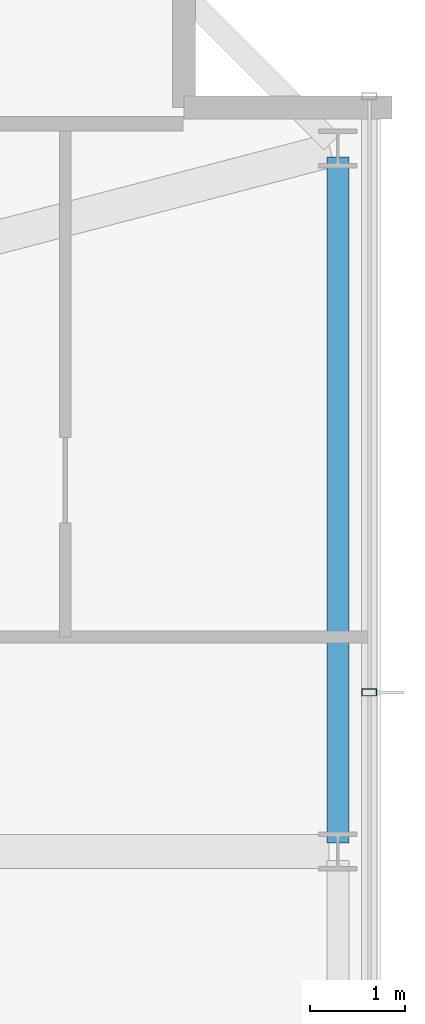
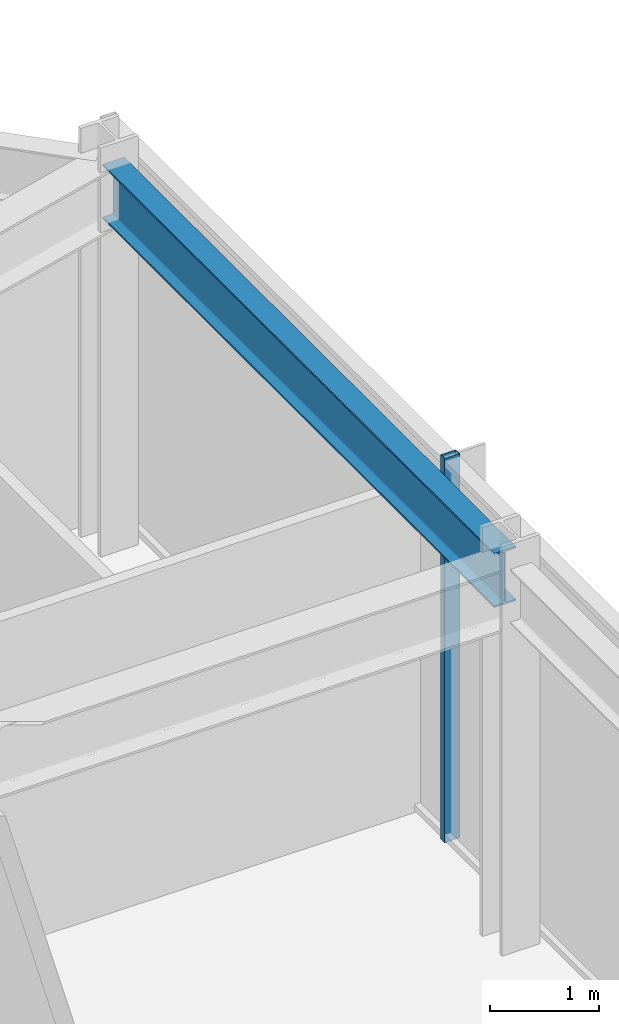
# One storey, part 14 of 30: 1 beam, 1 member, 1 element without a shape of its own.
"""IFC4 building model written with IfcOpenShell, lengths in metres."""

from ifc_helpers import new_model, si_unit, direction, frame, origin, origin_2d, place, context, subcontext, project, spatial, hollow_rectangle, i_section, extrude, material, material_profile, profile_set, type_object, element, aggregate, save


model = new_model("IFC4")

# Units and contexts
model_context = context("Model", 3, precision=1e-05, world=origin(), true_north=direction((0.0, 1.0)))
body_context = subcontext(model_context, "Body", "Model", "MODEL_VIEW")
ifc_project = project(units=[si_unit("LENGTHUNIT", "METRE"), si_unit("AREAUNIT", "SQUARE_METRE"), si_unit("VOLUMEUNIT", "CUBIC_METRE"), si_unit("PLANEANGLEUNIT", "RADIAN"), si_unit("MASSUNIT", "GRAM", prefix="KILO")], contexts=[model_context])

# Site, building, storey
site_placement = place(None, origin())
site = spatial("IfcSite", under=ifc_project, at=site_placement, CompositionType="ELEMENT")
building_placement = place(site_placement, origin())
building = spatial("IfcBuilding", under=site, at=building_placement, Name="Kolvaren Belvedere", CompositionType="ELEMENT")
storey_placement = place(building_placement, frame((0.0, 0.0, 262.800048828125)))
storey = spatial("IfcBuildingStorey", under=building, at=storey_placement, Name="L76", CompositionType="ELEMENT", Elevation=262.800048828125)

# Beam
ifc_material_1 = material(Name="Structural steel ASTM A992 Grade 50", Category="steel")
ifc_material_profile_1 = material_profile(ifc_material_1, i_section(OverallWidth=0.22900390625, OverallDepth=0.612060546875, WebThickness=0.011962890625, FlangeThickness=0.01953125, FilletRadius=0.01806640625, at=origin_2d()), Name="W24X84")
ifc_profile_set_1 = profile_set([ifc_material_profile_1], Name="Structural steel ASTM A992 Grade 50")
beam_type = type_object("IfcBeamType", Name="BM-SPAN-W24X84", PredefinedType="SPANDREL", material=ifc_profile_set_1)
beam_placement = place(storey_placement, frame((17.949951171875, 4.691650390625, 4.013916015625), z_axis=(0.0, 1.0, 0.0), x_axis=(-1.0, 0.0, 0.0)))
element("IfcBeam", 1, at=beam_placement, inside=storey, type_object=beam_type, Name="L76 Perimeter Spandrel E3-E4", PredefinedType="SPANDREL", context=body_context, shape_type="SweptSolid", body=[
    extrude(i_section(OverallWidth=0.22900390625, OverallDepth=0.612060546875, WebThickness=0.011962890625, FlangeThickness=0.01953125, FilletRadius=0.01806640625, at=origin_2d()), origin(), (0.0, 0.0, 1.0), 7.216796875),
])

# Curtain wall, member
ifc_material_2 = material(Name="Anodised pale-metal aluminium AA 6063-T6", Category="aluminium")
curtain_wall_type = type_object("IfcCurtainWallType", Name="CW-CRN-OBS", PredefinedType="NOTDEFINED", material=ifc_material_2)
curtain_wall_placement = place(storey_placement, origin())
curtain_wall = element("IfcCurtainWall", 2, at=curtain_wall_placement, inside=storey, type_object=curtain_wall_type, Name="L76 Unitised Curtain Wall FCW-L76-E", PredefinedType="NOTDEFINED")
ifc_material_3 = material(Name="Anodised pale-metal aluminium AA 6063-T6", Category="aluminium")
ifc_material_profile_2 = material_profile(ifc_material_3, hollow_rectangle(XDim=0.074951171875, YDim=0.159912109375, WallThickness=0.00439453125, at=origin_2d()), Name="ALU-MUL-160X75")
ifc_profile_set_2 = profile_set([ifc_material_profile_2], Name="Anodised pale-metal aluminium AA 6063-T6")
member_type = type_object("IfcMemberType", Name="CW-MUL-160", PredefinedType="MULLION", material=ifc_profile_set_2)
member_placement = place(storey_placement, frame((18.280029296875, 6.27490234375, 0.0), z_axis=(0.0, 0.0, 1.0), x_axis=(0.0, 1.0, 0.0)))
member = element("IfcMember", 3, at=member_placement, type_object=member_type, Name="FCW-L76-E Unitised Mullion 2", PredefinedType="MULLION", context=body_context, shape_type="SweptSolid", body=[
    extrude(hollow_rectangle(XDim=0.074951171875, YDim=0.159912109375, WallThickness=0.00439453125, at=origin_2d()), origin(), (0.0, 0.0, 1.0), 4.320068359375),
])
aggregate(curtain_wall, [member])

save(model, "model.ifc")
